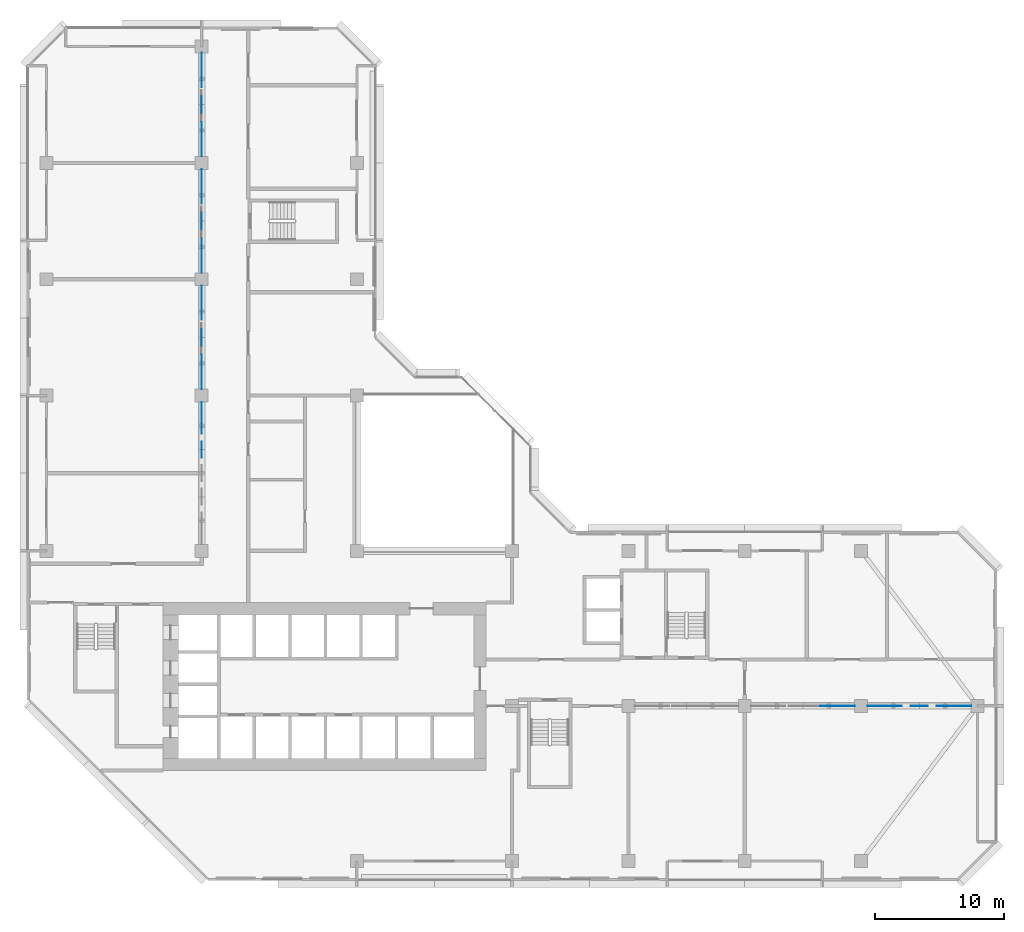
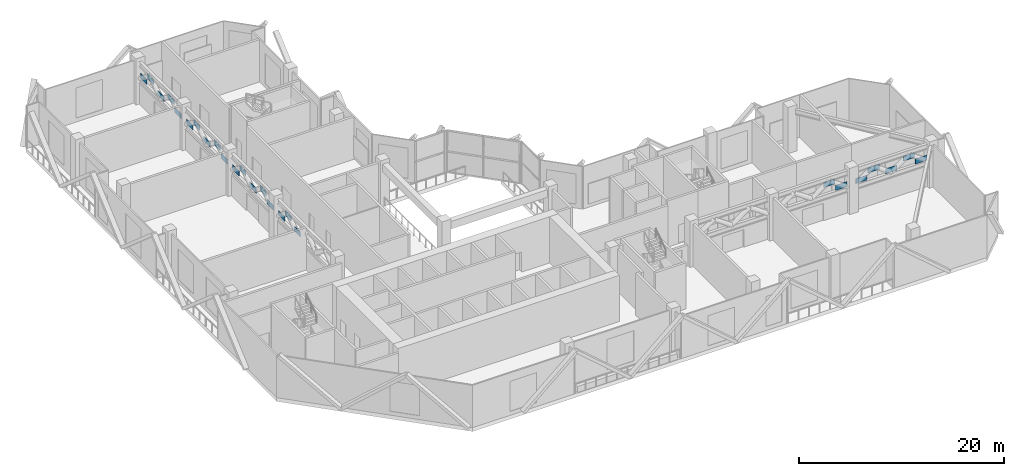
# One storey, part 12 of 15: 25 discrete accessories.
"""IFC4 building model written with IfcOpenShell, lengths in metres."""

from ifc_helpers import new_model, si_unit, direction, frame, origin, place, context, subcontext, project, spatial, polyline, outline, extrude, material, layer, layer_set, type_object, element, save


model = new_model("IFC4")

# Units and contexts
model_context = context("Model", 3, precision=1e-05, world=origin(), true_north=direction((0.0, 1.0)))
body_context = subcontext(model_context, "Body", "Model", "MODEL_VIEW")
ifc_project = project(units=[si_unit("LENGTHUNIT", "METRE"), si_unit("AREAUNIT", "SQUARE_METRE"), si_unit("VOLUMEUNIT", "CUBIC_METRE"), si_unit("PLANEANGLEUNIT", "RADIAN"), si_unit("MASSUNIT", "GRAM", prefix="KILO")], contexts=[model_context])

# Site, building, storey
site_placement = place(None, origin())
site = spatial("IfcSite", under=ifc_project, at=site_placement, CompositionType="ELEMENT")
building_placement = place(site_placement, origin())
building = spatial("IfcBuilding", under=site, at=building_placement, Name="Chenar Terraces", CompositionType="ELEMENT")
storey_placement = place(building_placement, frame((0.0, 0.0, 140.64990234375)))
storey = spatial("IfcBuildingStorey", under=building, at=storey_placement, Name="L33", CompositionType="ELEMENT", Elevation=140.64990234375)

# Discrete accessories
ifc_material = material(Name="Structural steel S355", Category="steel")
ifc_layer = layer(ifc_material, 0.02490234375)
ifc_layer_set = layer_set([ifc_layer], Name="Structural steel S355")
discrete_accessory_type = type_object("IfcDiscreteAccessoryType", Name="Gusset plate 25 S355", PredefinedType="BRACKET", material=ifc_layer_set)
placement_1 = place(storey_placement, frame((0.0, 0.0, 3.85009765625)))
element("IfcDiscreteAccessory", 1, at=placement_1, inside=storey, type_object=discrete_accessory_type, Name="Gusset plate L33 A2 node 3", PredefinedType="BRACKET", context=body_context, shape_type="SweptSolid", body=[
    extrude(outline(polyline([(59.857177734375, 11.987548828125), (61.142822265625, 11.987548828125), (61.142822265625, 12.012451171875), (59.857177734375, 12.012451171875), (59.857177734375, 11.987548828125)])), origin(), (0.0, 0.0, 1.0), 0.610107421875),
])
placement_2 = place(storey_placement, frame((0.0, 0.0, 3.0400390625)))
element("IfcDiscreteAccessory", 2, at=placement_2, inside=storey, type_object=discrete_accessory_type, Name="Gusset plate L33 A2 node 4", PredefinedType="BRACKET", context=body_context, shape_type="SweptSolid", body=[
    extrude(outline(polyline([(61.214111328125, 11.987548828125), (62.5, 11.987548828125), (62.5, 12.012451171875), (61.214111328125, 12.012451171875), (61.214111328125, 11.987548828125)])), origin(), (0.0, 0.0, 1.0), 0.610107421875),
])
element("IfcDiscreteAccessory", 3, at=placement_2, inside=storey, type_object=discrete_accessory_type, Name="Gusset plate L33 A3 node 0", PredefinedType="BRACKET", context=body_context, shape_type="SweptSolid", body=[
    extrude(outline(polyline([(63.5, 11.987548828125), (64.785888671875, 11.987548828125), (64.785888671875, 12.012451171875), (63.5, 12.012451171875), (63.5, 11.987548828125)])), origin(), (0.0, 0.0, 1.0), 0.610107421875),
])
element("IfcDiscreteAccessory", 4, at=placement_1, inside=storey, type_object=discrete_accessory_type, Name="Gusset plate L33 A3 node 1", PredefinedType="BRACKET", context=body_context, shape_type="SweptSolid", body=[
    extrude(outline(polyline([(64.857177734375, 11.987548828125), (66.142822265625, 11.987548828125), (66.142822265625, 12.012451171875), (64.857177734375, 12.012451171875), (64.857177734375, 11.987548828125)])), origin(), (0.0, 0.0, 1.0), 0.610107421875),
])
element("IfcDiscreteAccessory", 5, at=placement_2, inside=storey, type_object=discrete_accessory_type, Name="Gusset plate L33 A3 node 2", PredefinedType="BRACKET", context=body_context, shape_type="SweptSolid", body=[
    extrude(outline(polyline([(66.857177734375, 11.987548828125), (68.142822265625, 11.987548828125), (68.142822265625, 12.012451171875), (66.857177734375, 12.012451171875), (66.857177734375, 11.987548828125)])), origin(), (0.0, 0.0, 1.0), 0.610107421875),
])
element("IfcDiscreteAccessory", 6, at=placement_1, inside=storey, type_object=discrete_accessory_type, Name="Gusset plate L33 A3 node 3", PredefinedType="BRACKET", context=body_context, shape_type="SweptSolid", body=[
    extrude(outline(polyline([(68.857177734375, 11.987548828125), (70.142822265625, 11.987548828125), (70.142822265625, 12.012451171875), (68.857177734375, 12.012451171875), (68.857177734375, 11.987548828125)])), origin(), (0.0, 0.0, 1.0), 0.610107421875),
])
element("IfcDiscreteAccessory", 7, at=placement_2, inside=storey, type_object=discrete_accessory_type, Name="Gusset plate L33 A3 node 4", PredefinedType="BRACKET", context=body_context, shape_type="SweptSolid", body=[
    extrude(outline(polyline([(70.214111328125, 11.987548828125), (71.5, 11.987548828125), (71.5, 12.012451171875), (70.214111328125, 12.012451171875), (70.214111328125, 11.987548828125)])), origin(), (0.0, 0.0, 1.0), 0.610107421875),
])
element("IfcDiscreteAccessory", 8, at=placement_2, inside=storey, type_object=discrete_accessory_type, Name="Gusset plate L33 B1 node 4", PredefinedType="BRACKET", context=body_context, shape_type="SweptSolid", body=[
    extrude(outline(polyline([(12.012451171875, 31.21484375), (12.012451171875, 32.451904296875), (11.987548828125, 32.451904296875), (11.987548828125, 31.21484375), (12.012451171875, 31.21484375)])), origin(), (0.0, 0.0, 1.0), 0.610107421875),
])
element("IfcDiscreteAccessory", 9, at=placement_1, inside=storey, type_object=discrete_accessory_type, Name="Gusset plate L33 B1 node 5", PredefinedType="BRACKET", context=body_context, shape_type="SweptSolid", body=[
    extrude(outline(polyline([(12.012451171875, 33.048095703125), (12.012451171875, 34.28515625), (11.987548828125, 34.28515625), (11.987548828125, 33.048095703125), (12.012451171875, 33.048095703125)])), origin(), (0.0, 0.0, 1.0), 0.610107421875),
])
element("IfcDiscreteAccessory", 10, at=placement_2, inside=storey, type_object=discrete_accessory_type, Name="Gusset plate L33 B1 node 6", PredefinedType="BRACKET", context=body_context, shape_type="SweptSolid", body=[
    extrude(outline(polyline([(12.012451171875, 34.262939453125), (12.012451171875, 35.5), (11.987548828125, 35.5), (11.987548828125, 34.262939453125), (12.012451171875, 34.262939453125)])), origin(), (0.0, 0.0, 1.0), 0.610107421875),
])
element("IfcDiscreteAccessory", 11, at=placement_2, inside=storey, type_object=discrete_accessory_type, Name="Gusset plate L33 B2 node 0", PredefinedType="BRACKET", context=body_context, shape_type="SweptSolid", body=[
    extrude(outline(polyline([(12.012451171875, 36.5), (12.012451171875, 37.785888671875), (11.987548828125, 37.785888671875), (11.987548828125, 36.5), (12.012451171875, 36.5)])), origin(), (0.0, 0.0, 1.0), 0.610107421875),
])
element("IfcDiscreteAccessory", 12, at=placement_1, inside=storey, type_object=discrete_accessory_type, Name="Gusset plate L33 B2 node 1", PredefinedType="BRACKET", context=body_context, shape_type="SweptSolid", body=[
    extrude(outline(polyline([(12.012451171875, 37.857177734375), (12.012451171875, 39.142822265625), (11.987548828125, 39.142822265625), (11.987548828125, 37.857177734375), (12.012451171875, 37.857177734375)])), origin(), (0.0, 0.0, 1.0), 0.610107421875),
])
element("IfcDiscreteAccessory", 13, at=placement_2, inside=storey, type_object=discrete_accessory_type, Name="Gusset plate L33 B2 node 2", PredefinedType="BRACKET", context=body_context, shape_type="SweptSolid", body=[
    extrude(outline(polyline([(12.012451171875, 39.857177734375), (12.012451171875, 41.142822265625), (11.987548828125, 41.142822265625), (11.987548828125, 39.857177734375), (12.012451171875, 39.857177734375)])), origin(), (0.0, 0.0, 1.0), 0.610107421875),
])
element("IfcDiscreteAccessory", 14, at=placement_1, inside=storey, type_object=discrete_accessory_type, Name="Gusset plate L33 B2 node 3", PredefinedType="BRACKET", context=body_context, shape_type="SweptSolid", body=[
    extrude(outline(polyline([(12.012451171875, 41.857177734375), (12.012451171875, 43.142822265625), (11.987548828125, 43.142822265625), (11.987548828125, 41.857177734375), (12.012451171875, 41.857177734375)])), origin(), (0.0, 0.0, 1.0), 0.610107421875),
])
element("IfcDiscreteAccessory", 15, at=placement_2, inside=storey, type_object=discrete_accessory_type, Name="Gusset plate L33 B2 node 4", PredefinedType="BRACKET", context=body_context, shape_type="SweptSolid", body=[
    extrude(outline(polyline([(12.012451171875, 43.214111328125), (12.012451171875, 44.5), (11.987548828125, 44.5), (11.987548828125, 43.214111328125), (12.012451171875, 43.214111328125)])), origin(), (0.0, 0.0, 1.0), 0.610107421875),
])
element("IfcDiscreteAccessory", 16, at=placement_2, inside=storey, type_object=discrete_accessory_type, Name="Gusset plate L33 B3 node 0", PredefinedType="BRACKET", context=body_context, shape_type="SweptSolid", body=[
    extrude(outline(polyline([(12.012451171875, 45.5), (12.012451171875, 46.785888671875), (11.987548828125, 46.785888671875), (11.987548828125, 45.5), (12.012451171875, 45.5)])), origin(), (0.0, 0.0, 1.0), 0.610107421875),
])
element("IfcDiscreteAccessory", 17, at=placement_1, inside=storey, type_object=discrete_accessory_type, Name="Gusset plate L33 B3 node 1", PredefinedType="BRACKET", context=body_context, shape_type="SweptSolid", body=[
    extrude(outline(polyline([(12.012451171875, 46.857177734375), (12.012451171875, 48.142822265625), (11.987548828125, 48.142822265625), (11.987548828125, 46.857177734375), (12.012451171875, 46.857177734375)])), origin(), (0.0, 0.0, 1.0), 0.610107421875),
])
element("IfcDiscreteAccessory", 18, at=placement_2, inside=storey, type_object=discrete_accessory_type, Name="Gusset plate L33 B3 node 2", PredefinedType="BRACKET", context=body_context, shape_type="SweptSolid", body=[
    extrude(outline(polyline([(12.012451171875, 48.857177734375), (12.012451171875, 50.142822265625), (11.987548828125, 50.142822265625), (11.987548828125, 48.857177734375), (12.012451171875, 48.857177734375)])), origin(), (0.0, 0.0, 1.0), 0.610107421875),
])
element("IfcDiscreteAccessory", 19, at=placement_1, inside=storey, type_object=discrete_accessory_type, Name="Gusset plate L33 B3 node 3", PredefinedType="BRACKET", context=body_context, shape_type="SweptSolid", body=[
    extrude(outline(polyline([(12.012451171875, 50.857177734375), (12.012451171875, 52.142822265625), (11.987548828125, 52.142822265625), (11.987548828125, 50.857177734375), (12.012451171875, 50.857177734375)])), origin(), (0.0, 0.0, 1.0), 0.610107421875),
])
element("IfcDiscreteAccessory", 20, at=placement_2, inside=storey, type_object=discrete_accessory_type, Name="Gusset plate L33 B3 node 4", PredefinedType="BRACKET", context=body_context, shape_type="SweptSolid", body=[
    extrude(outline(polyline([(12.012451171875, 52.214111328125), (12.012451171875, 53.5), (11.987548828125, 53.5), (11.987548828125, 52.214111328125), (12.012451171875, 52.214111328125)])), origin(), (0.0, 0.0, 1.0), 0.610107421875),
])
element("IfcDiscreteAccessory", 21, at=placement_2, inside=storey, type_object=discrete_accessory_type, Name="Gusset plate L33 B4 node 0", PredefinedType="BRACKET", context=body_context, shape_type="SweptSolid", body=[
    extrude(outline(polyline([(12.012451171875, 54.5), (12.012451171875, 55.785888671875), (11.987548828125, 55.785888671875), (11.987548828125, 54.5), (12.012451171875, 54.5)])), origin(), (0.0, 0.0, 1.0), 0.610107421875),
])
element("IfcDiscreteAccessory", 22, at=placement_1, inside=storey, type_object=discrete_accessory_type, Name="Gusset plate L33 B4 node 1", PredefinedType="BRACKET", context=body_context, shape_type="SweptSolid", body=[
    extrude(outline(polyline([(12.012451171875, 55.857177734375), (12.012451171875, 57.142822265625), (11.987548828125, 57.142822265625), (11.987548828125, 55.857177734375), (12.012451171875, 55.857177734375)])), origin(), (0.0, 0.0, 1.0), 0.610107421875),
])
element("IfcDiscreteAccessory", 23, at=placement_2, inside=storey, type_object=discrete_accessory_type, Name="Gusset plate L33 B4 node 2", PredefinedType="BRACKET", context=body_context, shape_type="SweptSolid", body=[
    extrude(outline(polyline([(12.012451171875, 57.857177734375), (12.012451171875, 59.142822265625), (11.987548828125, 59.142822265625), (11.987548828125, 57.857177734375), (12.012451171875, 57.857177734375)])), origin(), (0.0, 0.0, 1.0), 0.610107421875),
])
element("IfcDiscreteAccessory", 24, at=placement_1, inside=storey, type_object=discrete_accessory_type, Name="Gusset plate L33 B4 node 3", PredefinedType="BRACKET", context=body_context, shape_type="SweptSolid", body=[
    extrude(outline(polyline([(12.012451171875, 59.857177734375), (12.012451171875, 61.142822265625), (11.987548828125, 61.142822265625), (11.987548828125, 59.857177734375), (12.012451171875, 59.857177734375)])), origin(), (0.0, 0.0, 1.0), 0.610107421875),
])
element("IfcDiscreteAccessory", 25, at=placement_2, inside=storey, type_object=discrete_accessory_type, Name="Gusset plate L33 B4 node 4", PredefinedType="BRACKET", context=body_context, shape_type="SweptSolid", body=[
    extrude(outline(polyline([(12.012451171875, 61.214111328125), (12.012451171875, 62.5), (11.987548828125, 62.5), (11.987548828125, 61.214111328125), (12.012451171875, 61.214111328125)])), origin(), (0.0, 0.0, 1.0), 0.610107421875),
])

save(model, "model.ifc")
